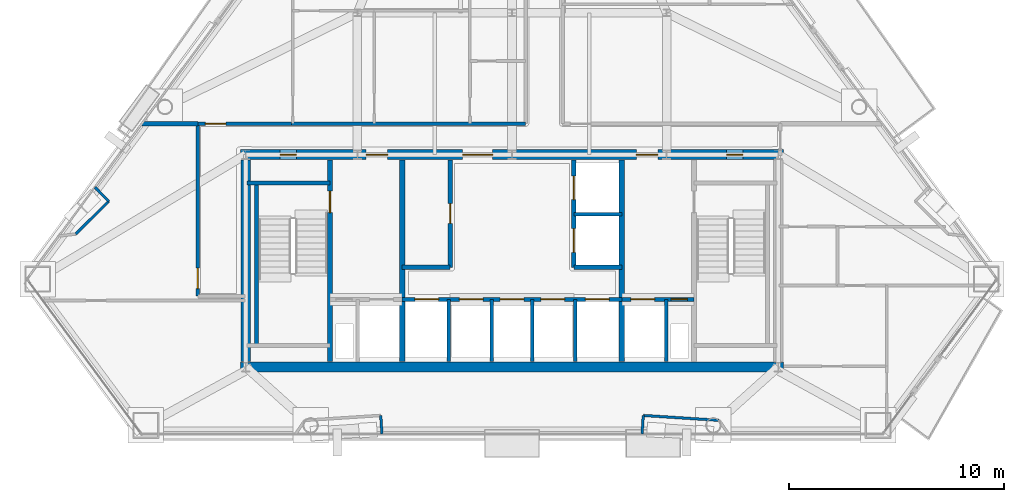
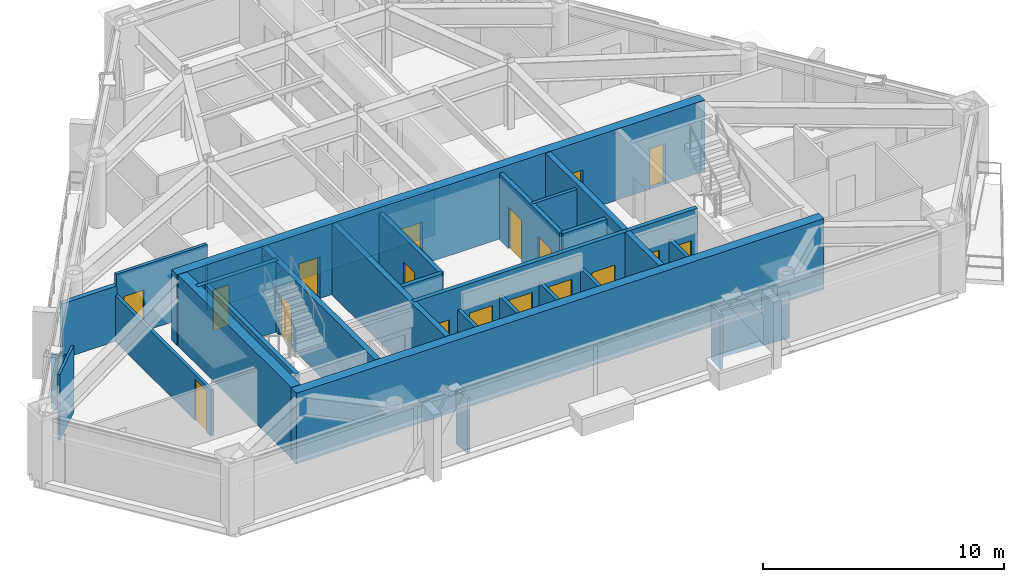
# One storey, part 7 of 11: 29 walls, 18 doors, 18 openings.
"""IFC4 building model written with IfcOpenShell, lengths in metres."""

from ifc_helpers import new_model, si_unit, direction, frame, frame_2d, origin, place, context, subcontext, project, spatial, rectangle, extrude, material, layer, layer_set, type_object, element, fill, save


model = new_model("IFC4")

# Units and contexts
model_context = context("Model", 3, precision=1e-05, world=origin(), true_north=direction((0.0, 1.0)))
body_context = subcontext(model_context, "Body", "Model", "MODEL_VIEW")
ifc_project = project(units=[si_unit("LENGTHUNIT", "METRE"), si_unit("AREAUNIT", "SQUARE_METRE"), si_unit("VOLUMEUNIT", "CUBIC_METRE"), si_unit("PLANEANGLEUNIT", "RADIAN"), si_unit("MASSUNIT", "GRAM", prefix="KILO")], contexts=[model_context])

# Site, building, storey
site_placement = place(None, origin())
site = spatial("IfcSite", under=ifc_project, at=site_placement, CompositionType="ELEMENT")
building_placement = place(site_placement, origin())
building = spatial("IfcBuilding", under=site, at=building_placement, Name="Talgorran Terracotta Tower", CompositionType="ELEMENT")
storey_placement = place(building_placement, frame((0.0, 0.0, 140.10009765625)))
storey = spatial("IfcBuildingStorey", under=building, at=storey_placement, Name="L36", CompositionType="ELEMENT", Elevation=140.10009765625)

# Walls
ifc_material_1 = material(Name="Concrete C50/60", Category="concrete")
ifc_layer_1 = layer(ifc_material_1, 0.199951171875, Name="WT_CORE_200")
ifc_layer_set_1 = layer_set([ifc_layer_1], Name="Concrete C50/60")
wall_type_1 = type_object("IfcWallType", Name="WT_CORE_200", PredefinedType="SOLIDWALL", material=ifc_layer_set_1)
wall_1_placement = place(storey_placement, frame((-12.35009765625, -5.52001953125, 0.0), z_axis=(0.0, 0.0, 1.0), x_axis=(1.0, 0.0, 0.0)))
element("IfcWall", 1, at=wall_1_placement, inside=storey, type_object=wall_type_1, Name="WL-L36-CW-ST1-N", PredefinedType="SOLIDWALL", context=body_context, shape_type="SweptSolid", body=[
    extrude(rectangle(XDim=3.8701171875, YDim=0.199951171875, at=frame_2d((1.93505859375, 0.0))), origin(), (0.0, 0.0, 1.0), 3.599853515625),
])
wall_2_placement = place(storey_placement, frame((-11.89990234375, -13.10009765625, 0.0), z_axis=(0.0, 0.0, 1.0), x_axis=(0.0, 1.0, 0.0)))
element("IfcWall", 2, at=wall_2_placement, inside=storey, type_object=wall_type_1, Name="WL-L36-CW-ST1-W", PredefinedType="SOLIDWALL", context=body_context, shape_type="SweptSolid", body=[
    extrude(rectangle(XDim=7.580078125, YDim=0.199951171875, at=frame_2d((3.7900390625, 0.0))), origin(), (0.0, 0.0, 1.0), 3.599853515625),
])

# Wall, openings, doors
wall_3_placement = place(storey_placement, frame((-5.1201171875, -10.949951171875, 0.0), z_axis=(0.0, 0.0, 1.0), x_axis=(1.0, 0.0, 0.0)))
wall_3 = element("IfcWall", 3, at=wall_3_placement, inside=storey, type_object=wall_type_1, Name="WL-L36-CW-H-SBC", PredefinedType="SOLIDWALL", context=body_context, shape_type="SweptSolid", body=[
    extrude(rectangle(XDim=10.240234375, YDim=0.199951171875, at=frame_2d((5.1201171875, 0.0))), origin(), (0.0, 0.0, 1.0), 3.599853515625),
])
opening_1_placement = place(wall_3_placement, frame((0.60009765625, 0.0, 0.0)))
opening_1 = element("IfcOpeningElement", 4, at=opening_1_placement, cuts=wall_3, Name="Opening LD-OB1", PredefinedType="OPENING", context=body_context, shape_type="SweptSolid", body=[
    extrude(rectangle(XDim=1.10609765625, YDim=2.10409765625, at=frame_2d((0.550048828125, 1.052001953125))), frame((0.0, 0.10986328125, 0.0), z_axis=(0.0, -1.0, 0.0), x_axis=(1.0, 0.0, 0.0)), (0.0, 0.0, 1.0), 0.219970703125),
])
opening_2_placement = place(wall_3_placement, frame((2.669921875, 0.0, 0.0)))
opening_2 = element("IfcOpeningElement", 5, at=opening_2_placement, cuts=wall_3, Name="Opening LD-PLH1", PredefinedType="OPENING", context=body_context, shape_type="SweptSolid", body=[
    extrude(rectangle(XDim=1.10609765625, YDim=2.10409765625, at=frame_2d((0.550048828125, 1.052001953125))), frame((0.0, 0.10986328125, 0.0), z_axis=(0.0, -1.0, 0.0), x_axis=(1.0, 0.0, 0.0)), (0.0, 0.0, 1.0), 0.219970703125),
])
opening_3_placement = place(wall_3_placement, frame((4.570068359375, 0.0, 0.0)))
opening_3 = element("IfcOpeningElement", 6, at=opening_3_placement, cuts=wall_3, Name="Opening LD-PLH2", PredefinedType="OPENING", context=body_context, shape_type="SweptSolid", body=[
    extrude(rectangle(XDim=1.10609765625, YDim=2.10409765625, at=frame_2d((0.550048828125, 1.052001953125))), frame((0.0, 0.10986328125, 0.0), z_axis=(0.0, -1.0, 0.0), x_axis=(1.0, 0.0, 0.0)), (0.0, 0.0, 1.0), 0.219970703125),
])
opening_4_placement = place(wall_3_placement, frame((6.469970703125, 0.0, 0.0)))
opening_4 = element("IfcOpeningElement", 7, at=opening_4_placement, cuts=wall_3, Name="Opening LD-PLH3", PredefinedType="OPENING", context=body_context, shape_type="SweptSolid", body=[
    extrude(rectangle(XDim=1.10609765625, YDim=2.10409765625, at=frame_2d((0.550048828125, 1.052001953125))), frame((0.0, 0.10986328125, 0.0), z_axis=(0.0, -1.0, 0.0), x_axis=(1.0, 0.0, 0.0)), (0.0, 0.0, 1.0), 0.219970703125),
])
opening_5_placement = place(wall_3_placement, frame((8.5400390625, 0.0, 0.0)))
opening_5 = element("IfcOpeningElement", 8, at=opening_5_placement, cuts=wall_3, Name="Opening LD-SVL1", PredefinedType="OPENING", context=body_context, shape_type="SweptSolid", body=[
    extrude(rectangle(XDim=1.10609765625, YDim=2.10409765625, at=frame_2d((0.550048828125, 1.052001953125))), frame((0.0, 0.10986328125, 0.0), z_axis=(0.0, -1.0, 0.0), x_axis=(1.0, 0.0, 0.0)), (0.0, 0.0, 1.0), 0.219970703125),
])
ifc_material_2 = material(Name="Brushed Stainless Steel Grade 304", Category="steel")
door_type_1 = type_object("IfcDoorType", Name="DT_LIFT_LD1100", OperationType="DOUBLE_DOOR_SLIDING", PredefinedType="DOOR", material=ifc_material_2)
door_1_placement = place(opening_1_placement, origin())
door_1 = element("IfcDoor", 9, at=door_1_placement, inside=storey, type_object=door_type_1, Name="L36 Lift Landing Door LD-OB1", OperationType="DOUBLE_DOOR_SLIDING", OverallHeight=2.10009765625, OverallWidth=1.10009765625, PredefinedType="DOOR", context=body_context, shape_type="SweptSolid", body=[
    extrude(rectangle(XDim=1.10009765625, YDim=2.10009765625, at=frame_2d((0.550048828125, 1.050048828125))), frame((0.0, 0.02490234375, 0.0), z_axis=(0.0, -1.0, 0.0), x_axis=(1.0, 0.0, 0.0)), (0.0, 0.0, 1.0), 0.050048828125),
])
fill(opening_1, door_1)
door_2_placement = place(opening_2_placement, origin())
door_2 = element("IfcDoor", 10, at=door_2_placement, inside=storey, type_object=door_type_1, Name="L36 Lift Landing Door LD-PLH1", OperationType="DOUBLE_DOOR_SLIDING", OverallHeight=2.10009765625, OverallWidth=1.10009765625, PredefinedType="DOOR", context=body_context, shape_type="SweptSolid", body=[
    extrude(rectangle(XDim=1.10009765625, YDim=2.10009765625, at=frame_2d((0.550048828125, 1.050048828125))), frame((0.0, 0.02490234375, 0.0), z_axis=(0.0, -1.0, 0.0), x_axis=(1.0, 0.0, 0.0)), (0.0, 0.0, 1.0), 0.050048828125),
])
fill(opening_2, door_2)
door_3_placement = place(opening_3_placement, origin())
door_3 = element("IfcDoor", 11, at=door_3_placement, inside=storey, type_object=door_type_1, Name="L36 Lift Landing Door LD-PLH2", OperationType="DOUBLE_DOOR_SLIDING", OverallHeight=2.10009765625, OverallWidth=1.10009765625, PredefinedType="DOOR", context=body_context, shape_type="SweptSolid", body=[
    extrude(rectangle(XDim=1.10009765625, YDim=2.10009765625, at=frame_2d((0.550048828125, 1.050048828125))), frame((0.0, 0.02490234375, 0.0), z_axis=(0.0, -1.0, 0.0), x_axis=(1.0, 0.0, 0.0)), (0.0, 0.0, 1.0), 0.050048828125),
])
fill(opening_3, door_3)
door_4_placement = place(opening_4_placement, origin())
door_4 = element("IfcDoor", 12, at=door_4_placement, inside=storey, type_object=door_type_1, Name="L36 Lift Landing Door LD-PLH3", OperationType="DOUBLE_DOOR_SLIDING", OverallHeight=2.10009765625, OverallWidth=1.10009765625, PredefinedType="DOOR", context=body_context, shape_type="SweptSolid", body=[
    extrude(rectangle(XDim=1.10009765625, YDim=2.10009765625, at=frame_2d((0.550048828125, 1.050048828125))), frame((0.0, 0.02490234375, 0.0), z_axis=(0.0, -1.0, 0.0), x_axis=(1.0, 0.0, 0.0)), (0.0, 0.0, 1.0), 0.050048828125),
])
fill(opening_4, door_4)
door_5_placement = place(opening_5_placement, origin())
door_5 = element("IfcDoor", 13, at=door_5_placement, inside=storey, type_object=door_type_1, Name="L36 Lift Landing Door LD-SVL1", OperationType="DOUBLE_DOOR_SLIDING", OverallHeight=2.10009765625, OverallWidth=1.10009765625, PredefinedType="DOOR", context=body_context, shape_type="SweptSolid", body=[
    extrude(rectangle(XDim=1.10009765625, YDim=2.10009765625, at=frame_2d((0.550048828125, 1.050048828125))), frame((0.0, 0.02490234375, 0.0), z_axis=(0.0, -1.0, 0.0), x_axis=(1.0, 0.0, 0.0)), (0.0, 0.0, 1.0), 0.050048828125),
])
fill(opening_5, door_5)

wall_4_placement = place(storey_placement, frame((5.1201171875, -10.949951171875, 0.0), z_axis=(0.0, 0.0, 1.0), x_axis=(1.0, 0.0, 0.0)))
wall_4 = element("IfcWall", 14, at=wall_4_placement, inside=storey, type_object=wall_type_1, Name="WL-L36-CW-H-SBE", PredefinedType="SOLIDWALL", context=body_context, shape_type="SweptSolid", body=[
    extrude(rectangle(XDim=3.35986328125, YDim=0.199951171875, at=frame_2d((1.679931640625, 0.0))), origin(), (0.0, 0.0, 1.0), 3.599853515625),
])
opening_6_placement = place(wall_4_placement, frame((0.419921875, 0.0, 0.0)))
opening_6 = element("IfcOpeningElement", 15, at=opening_6_placement, cuts=wall_4, Name="Opening LD-FFL2", PredefinedType="OPENING", context=body_context, shape_type="SweptSolid", body=[
    extrude(rectangle(XDim=1.10609765625, YDim=2.10409765625, at=frame_2d((0.550048828125, 1.052001953125))), frame((0.0, 0.10986328125, 0.0), z_axis=(0.0, -1.0, 0.0), x_axis=(1.0, 0.0, 0.0)), (0.0, 0.0, 1.0), 0.219970703125),
])
opening_7_placement = place(wall_4_placement, frame((2.300048828125, 0.0, 0.0)))
opening_7 = element("IfcOpeningElement", 16, at=opening_7_placement, cuts=wall_4, Name="Opening DR-RSE", PredefinedType="OPENING", context=body_context, shape_type="SweptSolid", body=[
    extrude(rectangle(XDim=0.756, YDim=2.054048828125, at=frame_2d((0.375, 1.027099609375))), frame((0.0, 0.10986328125, 0.0), z_axis=(0.0, -1.0, 0.0), x_axis=(1.0, 0.0, 0.0)), (0.0, 0.0, 1.0), 0.219970703125),
])
door_6_placement = place(opening_6_placement, origin())
door_6 = element("IfcDoor", 17, at=door_6_placement, inside=storey, type_object=door_type_1, Name="L36 Lift Landing Door LD-FFL2", OperationType="DOUBLE_DOOR_SLIDING", OverallHeight=2.10009765625, OverallWidth=1.10009765625, PredefinedType="DOOR", context=body_context, shape_type="SweptSolid", body=[
    extrude(rectangle(XDim=1.10009765625, YDim=2.10009765625, at=frame_2d((0.550048828125, 1.050048828125))), frame((0.0, 0.02490234375, 0.0), z_axis=(0.0, -1.0, 0.0), x_axis=(1.0, 0.0, 0.0)), (0.0, 0.0, 1.0), 0.050048828125),
])
fill(opening_6, door_6)
ifc_material_3 = material(Name="Fire-Rated Pressed Steel", Category="steel")
door_type_2 = type_object("IfcDoorType", Name="DT_RISER_750", OperationType="NOTDEFINED", PredefinedType="DOOR", material=ifc_material_3)
door_7_placement = place(opening_7_placement, origin())
door_7 = element("IfcDoor", 18, at=door_7_placement, inside=storey, type_object=door_type_2, Name="DR-RSE", OperationType="SINGLE_SWING_RIGHT", OverallHeight=2.050048828125, OverallWidth=0.75, PredefinedType="DOOR", context=body_context, shape_type="SweptSolid", body=[
    extrude(rectangle(XDim=0.75, YDim=2.050048828125, at=frame_2d((0.375, 1.02490234375))), frame((0.0, 0.02490234375, 0.0), z_axis=(0.0, -1.0, 0.0), x_axis=(1.0, 0.0, 0.0)), (0.0, 0.0, 1.0), 0.050048828125),
])
fill(opening_7, door_7)

# Wall, opening, door
wall_5_placement = place(storey_placement, frame((-2.8798828125, -9.449951171875, 0.0), z_axis=(0.0, 0.0, 1.0), x_axis=(0.0, 1.0, 0.0)))
wall_5 = element("IfcWall", 19, at=wall_5_placement, inside=storey, type_object=wall_type_1, Name="WL-L36-CW-V-W3", PredefinedType="SOLIDWALL", context=body_context, shape_type="SweptSolid", body=[
    extrude(rectangle(XDim=5.0, YDim=0.199951171875, at=frame_2d((2.5, 0.0))), origin(), (0.0, 0.0, 1.0), 3.349853515625),
])
opening_8_placement = place(wall_5_placement, frame((2.050048828125, 0.0, 0.0)))
opening_8 = element("IfcOpeningElement", 20, at=opening_8_placement, cuts=wall_5, Name="Opening DR-FRPLL-A", PredefinedType="OPENING", context=body_context, shape_type="SweptSolid", body=[
    extrude(rectangle(XDim=0.925921875, YDim=2.10409765625, at=frame_2d((0.4599609375, 1.052001953125))), frame((0.0, 0.10986328125, 0.0), z_axis=(0.0, -1.0, 0.0), x_axis=(1.0, 0.0, 0.0)), (0.0, 0.0, 1.0), 0.219970703125),
])
ifc_material_4 = material(Name="Solid-Core Painted Timber", Category="wood")
door_type_3 = type_object("IfcDoorType", Name="DT_INT_920", OperationType="NOTDEFINED", PredefinedType="DOOR", material=ifc_material_4)
door_8_placement = place(opening_8_placement, origin())
door_8 = element("IfcDoor", 21, at=door_8_placement, inside=storey, type_object=door_type_3, Name="DR-FRPLL-A", OperationType="SINGLE_SWING_LEFT", OverallHeight=2.10009765625, OverallWidth=0.919921875, PredefinedType="DOOR", context=body_context, shape_type="SweptSolid", body=[
    extrude(rectangle(XDim=0.919921875, YDim=2.10009765625, at=frame_2d((0.4599609375, 1.050048828125))), frame((0.0, 0.02490234375, 0.0), z_axis=(0.0, -1.0, 0.0), x_axis=(1.0, 0.0, 0.0)), (0.0, 0.0, 1.0), 0.050048828125),
])
fill(opening_8, door_8)

# Wall
wall_6_placement = place(storey_placement, frame((-5.1201171875, -9.449951171875, 0.0), z_axis=(0.0, 0.0, 1.0), x_axis=(1.0, 0.0, 0.0)))
element("IfcWall", 22, at=wall_6_placement, inside=storey, type_object=wall_type_1, Name="WL-L36-CW-H-W4", PredefinedType="SOLIDWALL", context=body_context, shape_type="SweptSolid", body=[
    extrude(rectangle(XDim=2.240234375, YDim=0.199951171875, at=frame_2d((1.1201171875, 0.0))), origin(), (0.0, 0.0, 1.0), 3.349853515625),
])

# Wall, openings, doors
wall_7_placement = place(storey_placement, frame((2.8798828125, -9.449951171875, 0.0), z_axis=(0.0, 0.0, 1.0), x_axis=(0.0, 1.0, 0.0)))
wall_7 = element("IfcWall", 23, at=wall_7_placement, inside=storey, type_object=wall_type_1, Name="WL-L36-CW-V-E3", PredefinedType="SOLIDWALL", context=body_context, shape_type="SweptSolid", body=[
    extrude(rectangle(XDim=5.0, YDim=0.199951171875, at=frame_2d((2.5, 0.0))), origin(), (0.0, 0.0, 1.0), 3.349853515625),
])
opening_9_placement = place(wall_7_placement, frame((0.699951171875, 0.0, 0.0)))
opening_9 = element("IfcOpeningElement", 24, at=opening_9_placement, cuts=wall_7, Name="Opening LD-PLM1", PredefinedType="OPENING", context=body_context, shape_type="SweptSolid", body=[
    extrude(rectangle(XDim=1.10609765625, YDim=2.10409765625, at=frame_2d((0.550048828125, 1.052001953125))), frame((0.0, 0.10986328125, 0.0), z_axis=(0.0, -1.0, 0.0), x_axis=(1.0, 0.0, 0.0)), (0.0, 0.0, 1.0), 0.219970703125),
])
opening_10_placement = place(wall_7_placement, frame((3.14990234375, 0.0, 0.0)))
opening_10 = element("IfcOpeningElement", 25, at=opening_10_placement, cuts=wall_7, Name="Opening LD-PLM2", PredefinedType="OPENING", context=body_context, shape_type="SweptSolid", body=[
    extrude(rectangle(XDim=1.10609765625, YDim=2.10409765625, at=frame_2d((0.550048828125, 1.052001953125))), frame((0.0, 0.10986328125, 0.0), z_axis=(0.0, -1.0, 0.0), x_axis=(1.0, 0.0, 0.0)), (0.0, 0.0, 1.0), 0.219970703125),
])
door_9_placement = place(opening_9_placement, origin())
door_9 = element("IfcDoor", 26, at=door_9_placement, inside=storey, type_object=door_type_1, Name="L36 Lift Landing Door LD-PLM1", OperationType="DOUBLE_DOOR_SLIDING", OverallHeight=2.10009765625, OverallWidth=1.10009765625, PredefinedType="DOOR", context=body_context, shape_type="SweptSolid", body=[
    extrude(rectangle(XDim=1.10009765625, YDim=2.10009765625, at=frame_2d((0.550048828125, 1.050048828125))), frame((0.0, 0.02490234375, 0.0), z_axis=(0.0, -1.0, 0.0), x_axis=(1.0, 0.0, 0.0)), (0.0, 0.0, 1.0), 0.050048828125),
])
fill(opening_9, door_9)
door_10_placement = place(opening_10_placement, origin())
door_10 = element("IfcDoor", 27, at=door_10_placement, inside=storey, type_object=door_type_1, Name="L36 Lift Landing Door LD-PLM2", OperationType="DOUBLE_DOOR_SLIDING", OverallHeight=2.10009765625, OverallWidth=1.10009765625, PredefinedType="DOOR", context=body_context, shape_type="SweptSolid", body=[
    extrude(rectangle(XDim=1.10009765625, YDim=2.10009765625, at=frame_2d((0.550048828125, 1.050048828125))), frame((0.0, 0.02490234375, 0.0), z_axis=(0.0, -1.0, 0.0), x_axis=(1.0, 0.0, 0.0)), (0.0, 0.0, 1.0), 0.050048828125),
])
fill(opening_10, door_10)

# Wall
wall_8_placement = place(storey_placement, frame((2.8798828125, -9.449951171875, 0.0), z_axis=(0.0, 0.0, 1.0), x_axis=(1.0, 0.0, 0.0)))
element("IfcWall", 28, at=wall_8_placement, inside=storey, type_object=wall_type_1, Name="WL-L36-CW-H-E4", PredefinedType="SOLIDWALL", context=body_context, shape_type="SweptSolid", body=[
    extrude(rectangle(XDim=2.240234375, YDim=0.199951171875, at=frame_2d((1.1201171875, 0.0))), origin(), (0.0, 0.0, 1.0), 3.349853515625),
])

# Wall, opening, door
ifc_layer_2 = layer(ifc_material_1, 0.25, Name="WT_CORE_250")
ifc_layer_set_2 = layer_set([ifc_layer_2], Name="Concrete C50/60")
wall_type_2 = type_object("IfcWallType", Name="WT_CORE_250", PredefinedType="SHEAR", material=ifc_layer_set_2)
wall_9_placement = place(storey_placement, frame((-8.47998046875, -13.85009765625, 0.0), z_axis=(0.0, 0.0, 1.0), x_axis=(0.0, 1.0, 0.0)))
wall_9 = element("IfcWall", 29, at=wall_9_placement, inside=storey, type_object=wall_type_2, Name="WL-L36-CW-V-W1", PredefinedType="SHEAR", context=body_context, shape_type="SweptSolid", body=[
    extrude(rectangle(XDim=9.400146484375, YDim=0.25, at=frame_2d((4.7001953125, 0.0))), origin(), (0.0, 0.0, 1.0), 3.599853515625),
])
opening_11_placement = place(wall_9_placement, frame((6.949951171875, 0.0, 0.0)))
opening_11 = element("IfcOpeningElement", 30, at=opening_11_placement, cuts=wall_9, Name="Opening DR-ST01", PredefinedType="OPENING", context=body_context, shape_type="SweptSolid", body=[
    extrude(rectangle(XDim=1.006, YDim=2.10409765625, at=frame_2d((0.5, 1.052001953125))), frame((0.0, 0.135009765625, 0.0), z_axis=(0.0, -1.0, 0.0), x_axis=(1.0, 0.0, 0.0)), (0.0, 0.0, 1.0), 0.27001953125),
])
door_type_4 = type_object("IfcDoorType", Name="DT_FIRE_1000", OperationType="NOTDEFINED", PredefinedType="DOOR", material=ifc_material_3)
door_11_placement = place(opening_11_placement, origin())
door_11 = element("IfcDoor", 31, at=door_11_placement, inside=storey, type_object=door_type_4, Name="DR-ST01", OperationType="SINGLE_SWING_LEFT", OverallHeight=2.10009765625, OverallWidth=1.0, PredefinedType="DOOR", context=body_context, shape_type="SweptSolid", body=[
    extrude(rectangle(XDim=1.0, YDim=2.10009765625, at=frame_2d((0.5, 1.050048828125))), frame((0.0, 0.02490234375, 0.0), z_axis=(0.0, -1.0, 0.0), x_axis=(1.0, 0.0, 0.0)), (0.0, 0.0, 1.0), 0.050048828125),
])
fill(opening_11, door_11)

# Walls
for number, where, z_axis, x_axis, name in (
    (32, (-5.1201171875, -13.85009765625, 0.0), (0.0, 0.0, 1.0), (0.0, 1.0, 0.0), "WL-L36-CW-V-W2"),
    (33, (5.1201171875, -13.85009765625, 0.0), (0.0, 0.0, 1.0), (0.0, 1.0, 0.0), "WL-L36-CW-V-E2"),
):
    element("IfcWall", number, at=place(storey_placement, frame(where, z_axis=z_axis, x_axis=x_axis)), inside=storey, type_object=wall_type_2, Name=name, PredefinedType="SHEAR", context=body_context, shape_type="SweptSolid", body=[
        extrude(rectangle(XDim=9.400146484375, YDim=0.25, at=frame_2d((4.7001953125, 0.0))), origin(), (0.0, 0.0, 1.0), 3.599853515625),
    ])
ifc_material_5 = material(Name="Concrete C65/80", Category="concrete")
ifc_layer_3 = layer(ifc_material_5, 0.449951171875, Name="WT_CORE_EXT")
ifc_layer_set_3 = layer_set([ifc_layer_3], Name="Concrete C65/80")
wall_type_3 = type_object("IfcWallType", Name="WT_CORE_EXT", PredefinedType="SHEAR", material=ifc_layer_set_3)
wall_10_placement = place(storey_placement, frame((-12.64990234375, -14.10009765625, 0.0), z_axis=(0.0, 0.0, 1.0), x_axis=(1.0, 0.0, 0.0)))
element("IfcWall", 34, at=wall_10_placement, inside=storey, type_object=wall_type_3, Name="WL-L36-CW-OUT-S", PredefinedType="SHEAR", context=body_context, shape_type="SweptSolid", body=[
    extrude(rectangle(XDim=25.2998046875, YDim=0.449951171875, at=frame_2d((12.64990234375, 0.0))), origin(), (0.0, 0.0, 1.0), 3.599853515625),
])

# Wall, openings, doors
wall_11_placement = place(storey_placement, frame((-12.64990234375, -4.199951171875, 0.0), z_axis=(0.0, 0.0, 1.0), x_axis=(1.0, 0.0, 0.0)))
wall_11 = element("IfcWall", 35, at=wall_11_placement, inside=storey, type_object=wall_type_3, Name="WL-L36-CW-OUT-N", PredefinedType="SHEAR", context=body_context, shape_type="SweptSolid", body=[
    extrude(rectangle(XDim=25.2998046875, YDim=0.449951171875, at=frame_2d((12.64990234375, 0.0))), origin(), (0.0, 0.0, 1.0), 3.599853515625),
])
opening_12_placement = place(wall_11_placement, frame((1.85009765625, 0.0, 0.0)))
opening_12 = element("IfcOpeningElement", 36, at=opening_12_placement, cuts=wall_11, Name="Opening DR-CSN1", PredefinedType="OPENING", context=body_context, shape_type="SweptSolid", body=[
    extrude(rectangle(XDim=0.756, YDim=2.054048828125, at=frame_2d((0.375, 1.027099609375))), frame((0.0, 0.23486328125, 0.0), z_axis=(0.0, -1.0, 0.0), x_axis=(1.0, 0.0, 0.0)), (0.0, 0.0, 1.0), 0.469970703125),
])
opening_13_placement = place(wall_11_placement, frame((22.64990234375, 0.0, 0.0)))
opening_13 = element("IfcOpeningElement", 37, at=opening_13_placement, cuts=wall_11, Name="Opening DR-CSN2", PredefinedType="OPENING", context=body_context, shape_type="SweptSolid", body=[
    extrude(rectangle(XDim=0.756, YDim=2.054048828125, at=frame_2d((0.375, 1.027099609375))), frame((0.0, 0.23486328125, 0.0), z_axis=(0.0, -1.0, 0.0), x_axis=(1.0, 0.0, 0.0)), (0.0, 0.0, 1.0), 0.469970703125),
])
opening_14_placement = place(wall_11_placement, frame((5.85009765625, 0.0, 0.0)))
opening_14 = element("IfcOpeningElement", 38, at=opening_14_placement, cuts=wall_11, Name="Opening DR-FFLW-N", PredefinedType="OPENING", context=body_context, shape_type="SweptSolid", body=[
    extrude(rectangle(XDim=1.006, YDim=2.10409765625, at=frame_2d((0.5, 1.052001953125))), frame((0.0, 0.23486328125, 0.0), z_axis=(0.0, -1.0, 0.0), x_axis=(1.0, 0.0, 0.0)), (0.0, 0.0, 1.0), 0.469970703125),
])
opening_15_placement = place(wall_11_placement, frame((10.35009765625, 0.0, 0.0)))
opening_15 = element("IfcOpeningElement", 39, at=opening_15_placement, cuts=wall_11, Name="Opening DR-PLL-N", PredefinedType="OPENING", context=body_context, shape_type="SweptSolid", body=[
    extrude(rectangle(XDim=1.40590234375, YDim=2.15390234375, at=frame_2d((0.699951171875, 1.076904296875))), frame((0.0, 0.23486328125, 0.0), z_axis=(0.0, -1.0, 0.0), x_axis=(1.0, 0.0, 0.0)), (0.0, 0.0, 1.0), 0.469970703125),
])
opening_16_placement = place(wall_11_placement, frame((18.449951171875, 0.0, 0.0)))
opening_16 = element("IfcOpeningElement", 40, at=opening_16_placement, cuts=wall_11, Name="Opening DR-FFLE-N", PredefinedType="OPENING", context=body_context, shape_type="SweptSolid", body=[
    extrude(rectangle(XDim=1.006, YDim=2.10409765625, at=frame_2d((0.5, 1.052001953125))), frame((0.0, 0.23486328125, 0.0), z_axis=(0.0, -1.0, 0.0), x_axis=(1.0, 0.0, 0.0)), (0.0, 0.0, 1.0), 0.469970703125),
])
ifc_material_6 = material(Name="Acoustic Glazed Timber", Category="wood")
door_type_5 = type_object("IfcDoorType", Name="DT_DOUBLE_1400", OperationType="DOUBLE_DOOR_SINGLE_SWING", PredefinedType="DOOR", material=ifc_material_6)
door_12_placement = place(opening_15_placement, origin())
door_12 = element("IfcDoor", 41, at=door_12_placement, inside=storey, type_object=door_type_5, Name="DR-PLL-N", OperationType="DOUBLE_DOOR_SINGLE_SWING", OverallHeight=2.14990234375, OverallWidth=1.39990234375, PredefinedType="DOOR", context=body_context, shape_type="SweptSolid", body=[
    extrude(rectangle(XDim=1.39990234375, YDim=2.14990234375, at=frame_2d((0.699951171875, 1.074951171875))), frame((0.0, 0.02490234375, 0.0), z_axis=(0.0, -1.0, 0.0), x_axis=(1.0, 0.0, 0.0)), (0.0, 0.0, 1.0), 0.050048828125),
])
fill(opening_15, door_12)
door_13_placement = place(opening_14_placement, origin())
door_13 = element("IfcDoor", 42, at=door_13_placement, inside=storey, type_object=door_type_4, Name="DR-FFLW-N", OperationType="SINGLE_SWING_LEFT", OverallHeight=2.10009765625, OverallWidth=1.0, PredefinedType="DOOR", context=body_context, shape_type="SweptSolid", body=[
    extrude(rectangle(XDim=1.0, YDim=2.10009765625, at=frame_2d((0.5, 1.050048828125))), frame((0.0, 0.02490234375, 0.0), z_axis=(0.0, -1.0, 0.0), x_axis=(1.0, 0.0, 0.0)), (0.0, 0.0, 1.0), 0.050048828125),
])
fill(opening_14, door_13)
door_14_placement = place(opening_16_placement, origin())
door_14 = element("IfcDoor", 43, at=door_14_placement, inside=storey, type_object=door_type_4, Name="DR-FFLE-N", OperationType="SINGLE_SWING_RIGHT", OverallHeight=2.10009765625, OverallWidth=1.0, PredefinedType="DOOR", context=body_context, shape_type="SweptSolid", body=[
    extrude(rectangle(XDim=1.0, YDim=2.10009765625, at=frame_2d((0.5, 1.050048828125))), frame((0.0, 0.02490234375, 0.0), z_axis=(0.0, -1.0, 0.0), x_axis=(1.0, 0.0, 0.0)), (0.0, 0.0, 1.0), 0.050048828125),
])
fill(opening_16, door_14)
door_15_placement = place(opening_12_placement, origin())
door_15 = element("IfcDoor", 44, at=door_15_placement, inside=storey, type_object=door_type_2, Name="DR-CSN1", OperationType="SINGLE_SWING_LEFT", OverallHeight=2.050048828125, OverallWidth=0.75, PredefinedType="DOOR", context=body_context, shape_type="SweptSolid", body=[
    extrude(rectangle(XDim=0.75, YDim=2.050048828125, at=frame_2d((0.375, 1.02490234375))), frame((0.0, 0.02490234375, 0.0), z_axis=(0.0, -1.0, 0.0), x_axis=(1.0, 0.0, 0.0)), (0.0, 0.0, 1.0), 0.050048828125),
])
fill(opening_12, door_15)
door_16_placement = place(opening_13_placement, origin())
door_16 = element("IfcDoor", 45, at=door_16_placement, inside=storey, type_object=door_type_2, Name="DR-CSN2", OperationType="SINGLE_SWING_RIGHT", OverallHeight=2.050048828125, OverallWidth=0.75, PredefinedType="DOOR", context=body_context, shape_type="SweptSolid", body=[
    extrude(rectangle(XDim=0.75, YDim=2.050048828125, at=frame_2d((0.375, 1.02490234375))), frame((0.0, 0.02490234375, 0.0), z_axis=(0.0, -1.0, 0.0), x_axis=(1.0, 0.0, 0.0)), (0.0, 0.0, 1.0), 0.050048828125),
])
fill(opening_13, door_16)

# Wall
wall_12_placement = place(storey_placement, frame((-12.39990234375, -13.85009765625, 0.0), z_axis=(0.0, 0.0, 1.0), x_axis=(0.0, 1.0, 0.0)))
element("IfcWall", 46, at=wall_12_placement, inside=storey, type_object=wall_type_3, Name="WL-L36-CW-OUT-W", PredefinedType="SHEAR", context=body_context, shape_type="SweptSolid", body=[
    extrude(rectangle(XDim=9.400146484375, YDim=0.449951171875, at=frame_2d((4.7001953125, 0.0))), origin(), (0.0, 0.0, 1.0), 3.599853515625),
])

# Wall, opening, door
ifc_material_7 = material(Name="Fire-Rated Steel Stud Plasterboard", Category="steel")
ifc_layer_4 = layer(ifc_material_7, 0.14990234375, Name="WT_FIRE_150")
ifc_layer_set_4 = layer_set([ifc_layer_4], Name="Fire-Rated Steel Stud Plasterboard")
wall_type_4 = type_object("IfcWallType", Name="WT_FIRE_150", PredefinedType="PARTITIONING", material=ifc_layer_set_4)
wall_13_placement = place(storey_placement, frame((-14.639892578125, -10.800048828125, 0.0), z_axis=(0.0, 0.0, 1.0), x_axis=(0.0, 1.0, 0.0)))
wall_13 = element("IfcWall", 47, at=wall_13_placement, inside=storey, type_object=wall_type_4, Name="WL-L36-W-L36-R01", PredefinedType="PARTITIONING", context=body_context, shape_type="SweptSolid", body=[
    extrude(rectangle(XDim=8.0400390625, YDim=0.14990234375, at=frame_2d((4.02001953125, 0.0))), origin(), (0.0, 0.0, 1.0), 2.324951171875),
])
opening_17_placement = place(wall_13_placement, frame((0.35888671875, 0.0, 0.0)))
opening_17 = element("IfcOpeningElement", 48, at=opening_17_placement, cuts=wall_13, Name="Opening DR-L36-R01", PredefinedType="OPENING", context=body_context, shape_type="SweptSolid", body=[
    extrude(rectangle(XDim=0.955951171875, YDim=2.10409765625, at=frame_2d((0.47509765625, 1.052001953125))), frame((0.0, 0.0849609375, 0.0), z_axis=(0.0, -1.0, 0.0), x_axis=(1.0, 0.0, 0.0)), (0.0, 0.0, 1.0), 0.169921875),
])
ifc_material_8 = material(Name="Fire-Rated Timber Core", Category="wood")
door_type_6 = type_object("IfcDoorType", Name="DT_FIRE_950", OperationType="NOTDEFINED", PredefinedType="DOOR", material=ifc_material_8)
door_17_placement = place(opening_17_placement, origin())
door_17 = element("IfcDoor", 49, at=door_17_placement, inside=storey, type_object=door_type_6, Name="DR-L36-R01", OperationType="SINGLE_SWING_LEFT", OverallHeight=2.10009765625, OverallWidth=0.949951171875, PredefinedType="DOOR", context=body_context, shape_type="SweptSolid", body=[
    extrude(rectangle(XDim=0.949951171875, YDim=2.10009765625, at=frame_2d((0.47509765625, 1.050048828125))), frame((0.0, 0.02490234375, 0.0), z_axis=(0.0, -1.0, 0.0), x_axis=(1.0, 0.0, 0.0)), (0.0, 0.0, 1.0), 0.050048828125),
])
fill(opening_17, door_17)

# Wall
wall_14_placement = place(storey_placement, frame((-10.280029296875, -2.760009765625, 0.0), z_axis=(0.0, 0.0, 1.0), x_axis=(1.0, 0.0, 0.0)))
element("IfcWall", 50, at=wall_14_placement, inside=storey, type_object=wall_type_4, Name="WL-L36-W-L36-R09", PredefinedType="PARTITIONING", context=body_context, shape_type="SweptSolid", body=[
    extrude(rectangle(XDim=10.919921875, YDim=0.14990234375, at=frame_2d((5.4599609375, 0.0))), origin(), (0.0, 0.0, 1.0), 2.324951171875),
])

# Wall, opening, door
wall_15_placement = place(storey_placement, frame((-14.639892578125, -2.760009765625, 0.0), z_axis=(0.0, 0.0, 1.0), x_axis=(1.0, 0.0, 0.0)))
wall_15 = element("IfcWall", 51, at=wall_15_placement, inside=storey, type_object=wall_type_4, Name="WL-L36-W-L36-R07", PredefinedType="PARTITIONING", context=body_context, shape_type="SweptSolid", body=[
    extrude(rectangle(XDim=4.35791015625, YDim=0.14990234375, at=frame_2d((2.178955078125, 0.0))), origin(), (0.0, 0.0, 1.0), 3.349853515625),
])
opening_18_placement = place(wall_15_placement, frame((0.35791015625, 0.0, 0.0)))
opening_18 = element("IfcOpeningElement", 52, at=opening_18_placement, cuts=wall_15, Name="Opening DR-L36-R10", PredefinedType="OPENING", context=body_context, shape_type="SweptSolid", body=[
    extrude(rectangle(XDim=0.955951171875, YDim=2.10409765625, at=frame_2d((0.47509765625, 1.052001953125))), frame((0.0, 0.0849609375, 0.0), z_axis=(0.0, -1.0, 0.0), x_axis=(1.0, 0.0, 0.0)), (0.0, 0.0, 1.0), 0.169921875),
])
door_18_placement = place(opening_18_placement, origin())
door_18 = element("IfcDoor", 53, at=door_18_placement, inside=storey, type_object=door_type_6, Name="DR-L36-R10", OperationType="SINGLE_SWING_RIGHT", OverallHeight=2.10009765625, OverallWidth=0.949951171875, PredefinedType="DOOR", context=body_context, shape_type="SweptSolid", body=[
    extrude(rectangle(XDim=0.949951171875, YDim=2.10009765625, at=frame_2d((0.47509765625, 1.050048828125))), frame((0.0, 0.02490234375, 0.0), z_axis=(0.0, -1.0, 0.0), x_axis=(1.0, 0.0, 0.0)), (0.0, 0.0, 1.0), 0.050048828125),
])
fill(opening_18, door_18)

# Walls
ifc_material_9 = material(Name="Acoustic Masonry and Plasterboard", Category="masonry")
ifc_layer_5 = layer(ifc_material_9, 0.219970703125, Name="WT_PARTY_220")
ifc_layer_set_5 = layer_set([ifc_layer_5], Name="Acoustic Masonry and Plasterboard")
wall_type_5 = type_object("IfcWallType", Name="WT_PARTY_220", PredefinedType="PARTITIONING", material=ifc_layer_set_5)
wall_16_placement = place(storey_placement, frame((-17.24267578125, -2.760009765625, 0.0), z_axis=(0.0, 0.0, 1.0), x_axis=(1.0, 0.0, 0.0)))
element("IfcWall", 54, at=wall_16_placement, inside=storey, type_object=wall_type_5, Name="WL-L36-W-L36-R18", PredefinedType="PARTITIONING", context=body_context, shape_type="SweptSolid", body=[
    extrude(rectangle(XDim=2.602783203125, YDim=0.219970703125, at=frame_2d((1.30126953125, 0.0))), origin(), (0.0, 0.0, 1.0), 2.7919921875),
])
ifc_material_10 = material(Name="Insulated Steel Stud Plasterboard", Category="steel")
ifc_layer_6 = layer(ifc_material_10, 0.1201171875, Name="WT_PART_120")
ifc_layer_set_6 = layer_set([ifc_layer_6], Name="Insulated Steel Stud Plasterboard")
wall_type_6 = type_object("IfcWallType", Name="WT_PART_120", PredefinedType="PARTITIONING", material=ifc_layer_set_6)
wall_17_placement = place(storey_placement, frame((6.114990234375, -16.354736328125, 0.0), z_axis=(0.0, 0.0, 1.0), x_axis=(0.997945293816, -0.064071760942, 0.0)))
element("IfcWall", 55, at=wall_17_placement, inside=storey, type_object=wall_type_6, Name="WL-L36-BW-L36-04", PredefinedType="PARTITIONING", context=body_context, shape_type="SweptSolid", body=[
    extrude(rectangle(XDim=3.5361328125, YDim=0.1201171875, at=frame_2d((1.76806640625, 0.0))), origin(), (0.0, 0.0, 1.0), 2.324951171875),
])
wall_18_placement = place(storey_placement, frame((-18.784423828125, -6.37353515625, 0.0), z_axis=(0.0, 0.0, 1.0), x_axis=(-0.71069096923, -0.70350433279, 0.0)))
element("IfcWall", 56, at=wall_18_placement, inside=storey, type_object=wall_type_6, Name="WL-L36-BW-L36-08", PredefinedType="PARTITIONING", context=body_context, shape_type="SweptSolid", body=[
    extrude(rectangle(XDim=2.174072265625, YDim=0.1201171875, at=frame_2d((1.0869140625, 0.0))), origin(), (0.0, 0.0, 1.0), 3.349853515625),
])
wall_19_placement = place(storey_placement, frame((-19.423583984375, -5.727783203125, 0.0), z_axis=(0.0, 0.0, 1.0), x_axis=(0.703469957503, -0.710724995262, 0.0)))
element("IfcWall", 57, at=wall_19_placement, inside=storey, type_object=wall_type_6, Name="WL-L36-BW-L36-07", PredefinedType="PARTITIONING", context=body_context, shape_type="SweptSolid", body=[
    extrude(rectangle(XDim=0.90869140625, YDim=0.1201171875, at=frame_2d((0.454345703125, 0.0))), origin(), (0.0, 0.0, 1.0), 2.7919921875),
])
for number, where, z_axis, x_axis, name in (
    (58, (-6.114990234375, -16.354736328125, 0.0), (0.0, 0.0, 1.0), (0.063887508385, -0.997957106429, 0.0), "WL-L36-BW-L36-02"),
    (59, (6.060302734375, -17.208984375, 0.0), (0.0, 0.0, 1.0), (0.063887508385, 0.997957106429, 0.0), "WL-L36-BW-L36-06"),
):
    element("IfcWall", number, at=place(storey_placement, frame(where, z_axis=z_axis, x_axis=x_axis)), inside=storey, type_object=wall_type_6, Name=name, PredefinedType="PARTITIONING", context=body_context, shape_type="SweptSolid", body=[
        extrude(rectangle(XDim=0.85595703125, YDim=0.1201171875, at=frame_2d((0.427978515625, 0.0))), origin(), (0.0, 0.0, 1.0), 2.7919921875),
    ])
ifc_material_11 = material(Name="Fire-Rated Shaftwall")
ifc_layer_7 = layer(ifc_material_11, 0.159912109375, Name="WT_PART_150")
ifc_layer_set_7 = layer_set([ifc_layer_7], Name="Fire-Rated Shaftwall")
wall_type_7 = type_object("IfcWallType", Name="WT_PART_150", PredefinedType="PARTITIONING", material=ifc_layer_set_7)
wall_20_placement = place(storey_placement, frame((2.8798828125, -6.97998046875, 0.0), z_axis=(0.0, 0.0, 1.0), x_axis=(1.0, 0.0, 0.0)))
element("IfcWall", 60, at=wall_20_placement, inside=storey, type_object=wall_type_7, Name="WL-L36-CW-PLM-DIV", PredefinedType="PARTITIONING", context=body_context, shape_type="SweptSolid", body=[
    extrude(rectangle(XDim=2.240234375, YDim=0.159912109375, at=frame_2d((1.1201171875, 0.0))), origin(), (0.0, 0.0, 1.0), 3.349853515625),
])
for number, where, z_axis, x_axis, name in (
    (61, (7.179931640625, -13.85009765625, 0.0), (0.0, 0.0, 1.0), (0.0, 1.0, 0.0), "WL-L36-CW-RSE"),
    (62, (-2.949951171875, -13.85009765625, 0.0), (0.0, 0.0, 1.0), (0.0, 1.0, 0.0), "WL-L36-CW-OB-E"),
    (63, (2.949951171875, -13.85009765625, 0.0), (0.0, 0.0, 1.0), (0.0, 1.0, 0.0), "WL-L36-CW-SV-W"),
    (64, (-0.949951171875, -13.85009765625, 0.0), (0.0, 0.0, 1.0), (0.0, 1.0, 0.0), "WL-L36-CW-PLH-D1"),
    (65, (0.949951171875, -13.85009765625, 0.0), (0.0, 0.0, 1.0), (0.0, 1.0, 0.0), "WL-L36-CW-PLH-D2"),
):
    element("IfcWall", number, at=place(storey_placement, frame(where, z_axis=z_axis, x_axis=x_axis)), inside=storey, type_object=wall_type_7, Name=name, PredefinedType="PARTITIONING", context=body_context, shape_type="SweptSolid", body=[
        extrude(rectangle(XDim=2.900146484375, YDim=0.159912109375, at=frame_2d((1.4501953125, 0.0))), origin(), (0.0, 0.0, 1.0), 2.474853515625),
    ])

save(model, "model.ifc")
